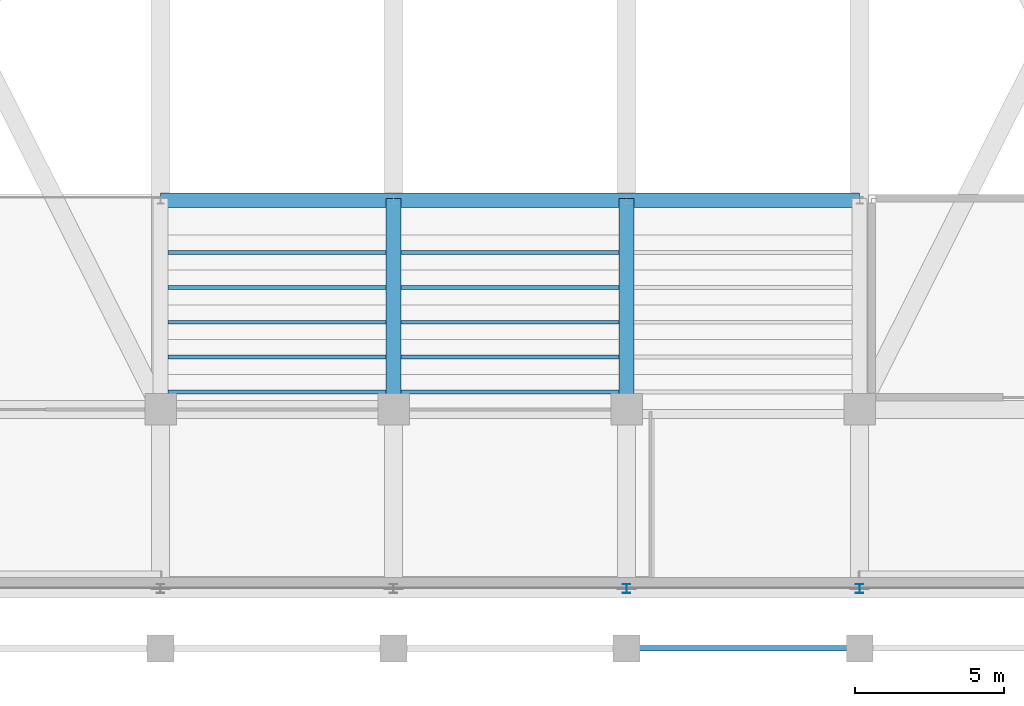
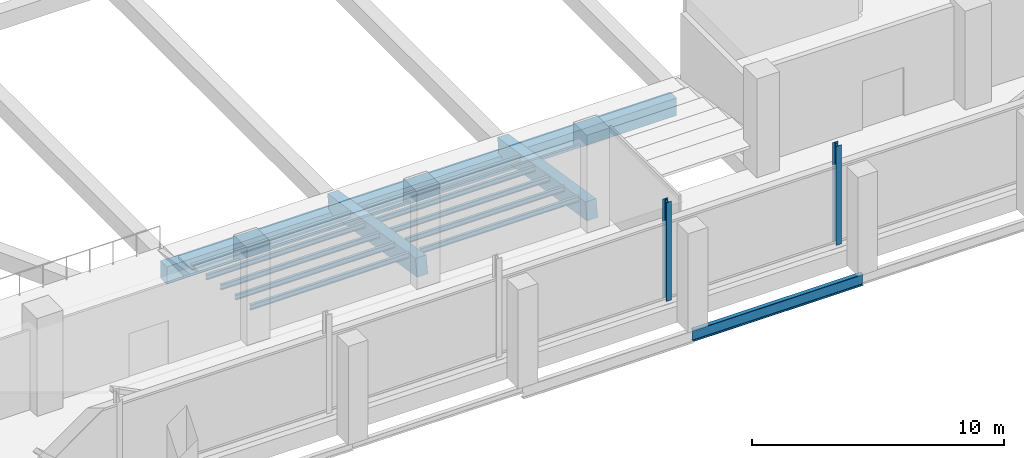
# One storey, part 34 of 100: 12 beams, 4 members.
"""IFC4 building model written with IfcOpenShell, lengths in metres."""

from ifc_helpers import new_model, si_unit, derived_unit, direction, frame, origin, origin_2d, place, context, subcontext, project, spatial, rectangle, i_section, extrude, material, material_profile, profile_set, type_object, element, save


model = new_model("IFC4")

# Units and contexts
model_context = context("Model", 3, precision=1e-05, world=origin(), true_north=direction((0.0, 1.0)))
body_context = subcontext(model_context, "Body", "Model", "MODEL_VIEW")
ifc_project = project(units=[si_unit("LENGTHUNIT", "METRE"), si_unit("AREAUNIT", "SQUARE_METRE"), si_unit("VOLUMEUNIT", "CUBIC_METRE"), si_unit("PLANEANGLEUNIT", "RADIAN"), si_unit("MASSUNIT", "GRAM", prefix="KILO"), derived_unit("THERMALTRANSMITTANCEUNIT", [(si_unit("POWERUNIT", "WATT"), 1), (si_unit("LENGTHUNIT", "METRE"), -2), (si_unit("THERMODYNAMICTEMPERATUREUNIT", "KELVIN"), -1)])], contexts=[model_context])

# Site, building, storey
site_placement = place(None, origin())
site = spatial("IfcSite", under=ifc_project, at=site_placement, CompositionType="ELEMENT")
building_placement = place(site_placement, origin())
building = spatial("IfcBuilding", under=site, at=building_placement, Name="Nallur Shell Playhouse", CompositionType="ELEMENT")
storey_placement = place(building_placement, frame((0.0, 0.0, 10.199951171875)))
storey = spatial("IfcBuildingStorey", under=building, at=storey_placement, Name="L03", CompositionType="ELEMENT", Elevation=10.199951171875)

# Beams
ifc_material_1 = material(Name="Steel E250", Category="steel")
ifc_material_profile_1 = material_profile(ifc_material_1, i_section(OverallWidth=0.125, OverallDepth=0.25, WebThickness=0.0068359375, FlangeThickness=0.012451171875, FilletRadius=0.012939453125, at=origin_2d()), Name="ISMB 250")
ifc_profile_set_1 = profile_set([ifc_material_profile_1], Name="Steel E250")
beam_type_1 = type_object("IfcBeamType", Name="BM-JST-ISMB250", PredefinedType="JOIST", material=ifc_profile_set_1)
beam_1_placement = place(storey_placement, frame((79.847900390625, 21.25, 0.10498046875), z_axis=(1.0, 0.0, 0.0), x_axis=(0.0, 1.0, 0.0)))
element("IfcBeam", 1, at=beam_1_placement, inside=storey, type_object=beam_type_1, Name="Seating tier step bearer DRESS row 2 (79.6-87.4)", PredefinedType="JOIST", context=body_context, shape_type="SweptSolid", body=[
    extrude(i_section(OverallWidth=0.125, OverallDepth=0.25, WebThickness=0.0068359375, FlangeThickness=0.012451171875, FilletRadius=0.012939453125, at=origin_2d()), origin(), (0.0, 0.0, 1.0), 7.30419921875),
])
beam_2_placement = place(storey_placement, frame((87.64794921875, 21.25, 0.10498046875), z_axis=(1.0, 0.0, 0.0), x_axis=(0.0, 1.0, 0.0)))
element("IfcBeam", 2, at=beam_2_placement, inside=storey, type_object=beam_type_1, Name="Seating tier step bearer DRESS row 2 (87.4-95.2)", PredefinedType="JOIST", context=body_context, shape_type="SweptSolid", body=[
    extrude(i_section(OverallWidth=0.125, OverallDepth=0.25, WebThickness=0.0068359375, FlangeThickness=0.012451171875, FilletRadius=0.012939453125, at=origin_2d()), origin(), (0.0, 0.0, 1.0), 7.303955078125),
])
beam_3_placement = place(storey_placement, frame((79.847900390625, 20.083251953125, 0.324951171875), z_axis=(1.0, 0.0, 0.0), x_axis=(0.0, 1.0, 0.0)))
element("IfcBeam", 3, at=beam_3_placement, inside=storey, type_object=beam_type_1, Name="Seating tier step bearer DRESS row 3 (79.6-87.4)", PredefinedType="JOIST", context=body_context, shape_type="SweptSolid", body=[
    extrude(i_section(OverallWidth=0.125, OverallDepth=0.25, WebThickness=0.0068359375, FlangeThickness=0.012451171875, FilletRadius=0.012939453125, at=origin_2d()), origin(), (0.0, 0.0, 1.0), 7.30419921875),
])
beam_4_placement = place(storey_placement, frame((87.64794921875, 20.083251953125, 0.324951171875), z_axis=(1.0, 0.0, 0.0), x_axis=(0.0, 1.0, 0.0)))
element("IfcBeam", 4, at=beam_4_placement, inside=storey, type_object=beam_type_1, Name="Seating tier step bearer DRESS row 3 (87.4-95.2)", PredefinedType="JOIST", context=body_context, shape_type="SweptSolid", body=[
    extrude(i_section(OverallWidth=0.125, OverallDepth=0.25, WebThickness=0.0068359375, FlangeThickness=0.012451171875, FilletRadius=0.012939453125, at=origin_2d()), origin(), (0.0, 0.0, 1.0), 7.303955078125),
])
beam_5_placement = place(storey_placement, frame((79.847900390625, 18.916748046875, 0.545166015625), z_axis=(1.0, 0.0, 0.0), x_axis=(0.0, 1.0, 0.0)))
element("IfcBeam", 5, at=beam_5_placement, inside=storey, type_object=beam_type_1, Name="Seating tier step bearer DRESS row 4 (79.6-87.4)", PredefinedType="JOIST", context=body_context, shape_type="SweptSolid", body=[
    extrude(i_section(OverallWidth=0.125, OverallDepth=0.25, WebThickness=0.0068359375, FlangeThickness=0.012451171875, FilletRadius=0.012939453125, at=origin_2d()), origin(), (0.0, 0.0, 1.0), 7.30419921875),
])
beam_6_placement = place(storey_placement, frame((87.64794921875, 18.916748046875, 0.545166015625), z_axis=(1.0, 0.0, 0.0), x_axis=(0.0, 1.0, 0.0)))
element("IfcBeam", 6, at=beam_6_placement, inside=storey, type_object=beam_type_1, Name="Seating tier step bearer DRESS row 4 (87.4-95.2)", PredefinedType="JOIST", context=body_context, shape_type="SweptSolid", body=[
    extrude(i_section(OverallWidth=0.125, OverallDepth=0.25, WebThickness=0.0068359375, FlangeThickness=0.012451171875, FilletRadius=0.012939453125, at=origin_2d()), origin(), (0.0, 0.0, 1.0), 7.303955078125),
])
beam_7_placement = place(storey_placement, frame((79.847900390625, 17.75, 0.76513671875), z_axis=(1.0, 0.0, 0.0), x_axis=(0.0, 1.0, 0.0)))
element("IfcBeam", 7, at=beam_7_placement, inside=storey, type_object=beam_type_1, Name="Seating tier step bearer DRESS row 5 (79.6-87.4)", PredefinedType="JOIST", context=body_context, shape_type="SweptSolid", body=[
    extrude(i_section(OverallWidth=0.125, OverallDepth=0.25, WebThickness=0.0068359375, FlangeThickness=0.012451171875, FilletRadius=0.012939453125, at=origin_2d()), origin(), (0.0, 0.0, 1.0), 7.30419921875),
])
beam_8_placement = place(storey_placement, frame((87.64794921875, 17.75, 0.76513671875), z_axis=(1.0, 0.0, 0.0), x_axis=(0.0, 1.0, 0.0)))
element("IfcBeam", 8, at=beam_8_placement, inside=storey, type_object=beam_type_1, Name="Seating tier step bearer DRESS row 5 (87.4-95.2)", PredefinedType="JOIST", context=body_context, shape_type="SweptSolid", body=[
    extrude(i_section(OverallWidth=0.125, OverallDepth=0.25, WebThickness=0.0068359375, FlangeThickness=0.012451171875, FilletRadius=0.012939453125, at=origin_2d()), origin(), (0.0, 0.0, 1.0), 7.303955078125),
])
beam_9_placement = place(storey_placement, frame((79.847900390625, 16.583251953125, 0.985107421875), z_axis=(1.0, 0.0, 0.0), x_axis=(0.0, 1.0, 0.0)))
element("IfcBeam", 9, at=beam_9_placement, inside=storey, type_object=beam_type_1, Name="Seating tier step bearer DRESS row 6 (79.6-87.4)", PredefinedType="JOIST", context=body_context, shape_type="SweptSolid", body=[
    extrude(i_section(OverallWidth=0.125, OverallDepth=0.25, WebThickness=0.0068359375, FlangeThickness=0.012451171875, FilletRadius=0.012939453125, at=origin_2d()), origin(), (0.0, 0.0, 1.0), 7.30419921875),
])
beam_10_placement = place(storey_placement, frame((87.64794921875, 16.583251953125, 0.985107421875), z_axis=(1.0, 0.0, 0.0), x_axis=(0.0, 1.0, 0.0)))
element("IfcBeam", 10, at=beam_10_placement, inside=storey, type_object=beam_type_1, Name="Seating tier step bearer DRESS row 6 (87.4-95.2)", PredefinedType="JOIST", context=body_context, shape_type="SweptSolid", body=[
    extrude(i_section(OverallWidth=0.125, OverallDepth=0.25, WebThickness=0.0068359375, FlangeThickness=0.012451171875, FilletRadius=0.012939453125, at=origin_2d()), origin(), (0.0, 0.0, 1.0), 7.303955078125),
])
ifc_material_2 = material(Name="Concrete M40", Category="concrete")
ifc_material_profile_2 = material_profile(ifc_material_2, rectangle(XDim=0.5, YDim=0.85009765625, at=origin_2d()), Name="RC 500x850")
ifc_profile_set_2 = profile_set([ifc_material_profile_2], Name="Concrete M40")
beam_type_2 = type_object("IfcBeamType", Name="BM-RC-500x850", PredefinedType="BEAM", material=ifc_profile_set_2)
beam_11_placement = place(storey_placement, frame((79.60009765625, 23.0, -1.139892578125), z_axis=(1.0, 0.0, 0.0), x_axis=(0.0, 1.0, 0.0)))
element("IfcBeam", 11, at=beam_11_placement, inside=storey, type_object=beam_type_2, Name="Auditorium balcony front carrier girder DRESS", PredefinedType="BEAM", context=body_context, shape_type="SweptSolid", body=[
    extrude(rectangle(XDim=0.5, YDim=0.85009765625, at=origin_2d()), origin(), (0.0, 0.0, 1.0), 23.39990234375),
])
ifc_material_3 = material(Name="Steel E350", Category="steel")
ifc_material_profile_3 = material_profile(ifc_material_3, i_section(OverallWidth=0.18994140625, OverallDepth=0.550048828125, WebThickness=0.01123046875, FlangeThickness=0.019287109375, FilletRadius=0.01806640625, at=origin_2d()), Name="ISMB 550")
ifc_profile_set_3 = profile_set([ifc_material_profile_3], Name="Steel E350")
beam_type_3 = type_object("IfcBeamType", Name="BM-ST-ISMB550", PredefinedType="BEAM", material=ifc_profile_set_3)
beam_12_placement = place(storey_placement, frame((95.199951171875, 8.0, -0.534912109375), z_axis=(1.0, 0.0, 0.0), x_axis=(0.0, 1.0, 0.0)))
element("IfcBeam", 12, at=beam_12_placement, inside=storey, type_object=beam_type_3, Name="L03 girder X-A-585", PredefinedType="BEAM", context=body_context, shape_type="SweptSolid", body=[
    extrude(i_section(OverallWidth=0.18994140625, OverallDepth=0.550048828125, WebThickness=0.01123046875, FlangeThickness=0.019287109375, FilletRadius=0.01806640625, at=origin_2d()), origin(), (0.0, 0.0, 1.0), 7.800048828125),
])

# Members
ifc_material_profile_4 = material_profile(ifc_material_3, i_section(OverallWidth=0.25, OverallDepth=0.300048828125, WebThickness=0.009521484375, FlangeThickness=0.010498046875, FilletRadius=0.010986328125, at=origin_2d()), Name="ISHB 300")
ifc_profile_set_4 = profile_set([ifc_material_profile_4], Name="Steel E350")
member_type_1 = type_object("IfcMemberType", Name="MB-FASCIA-POST", PredefinedType="POST", material=ifc_profile_set_4)
for number, where, z_axis, x_axis, name in (
    (13, (95.199951171875, 10.0, 0.0), (0.0, 0.0, 1.0), (1.0, 0.0, 0.0), "Cantilever truss fascia post POST-GB-L03-05"),
    (14, (103.0, 10.0, 0.0), (0.0, 0.0, 1.0), (1.0, 0.0, 0.0), "Cantilever truss fascia post POST-GB-L03-06"),
):
    element("IfcMember", number, at=place(storey_placement, frame(where, z_axis=z_axis, x_axis=x_axis)), inside=storey, type_object=member_type_1, Name=name, PredefinedType="POST", context=body_context, shape_type="SweptSolid", body=[
        extrude(i_section(OverallWidth=0.25, OverallDepth=0.300048828125, WebThickness=0.009521484375, FlangeThickness=0.010498046875, FilletRadius=0.010986328125, at=origin_2d()), origin(), (0.0, 0.0, 1.0), 4.800048828125),
    ])
ifc_material_profile_5 = material_profile(ifc_material_2, rectangle(XDim=0.5, YDim=0.85009765625, at=origin_2d()), Name="RC 500x850")
ifc_profile_set_5 = profile_set([ifc_material_profile_5], Name="Concrete M40")
member_type_2 = type_object("IfcMemberType", Name="MB-RAKER-RC", PredefinedType="STRINGER", material=ifc_profile_set_5)
for number, where, z_axis, x_axis, name in (
    (15, (87.39990234375, 23.0, -0.4150390625), (0.0, -0.987875011802, 0.155251283593), (1.0, 0.0, 0.0), "Auditorium raker beam DRESS RAKER 2"),
    (16, (95.199951171875, 23.0, -0.4150390625), (0.0, -0.987875011802, 0.155251283593), (1.0, 0.0, 0.0), "Auditorium raker beam DRESS RAKER 3"),
):
    element("IfcMember", number, at=place(storey_placement, frame(where, z_axis=z_axis, x_axis=x_axis)), inside=storey, type_object=member_type_2, Name=name, PredefinedType="STRINGER", context=body_context, shape_type="SweptSolid", body=[
        extrude(rectangle(XDim=0.5, YDim=0.85009765625, at=origin_2d()), origin(), (0.0, 0.0, 1.0), 7.0859375),
    ])

save(model, "model.ifc")
